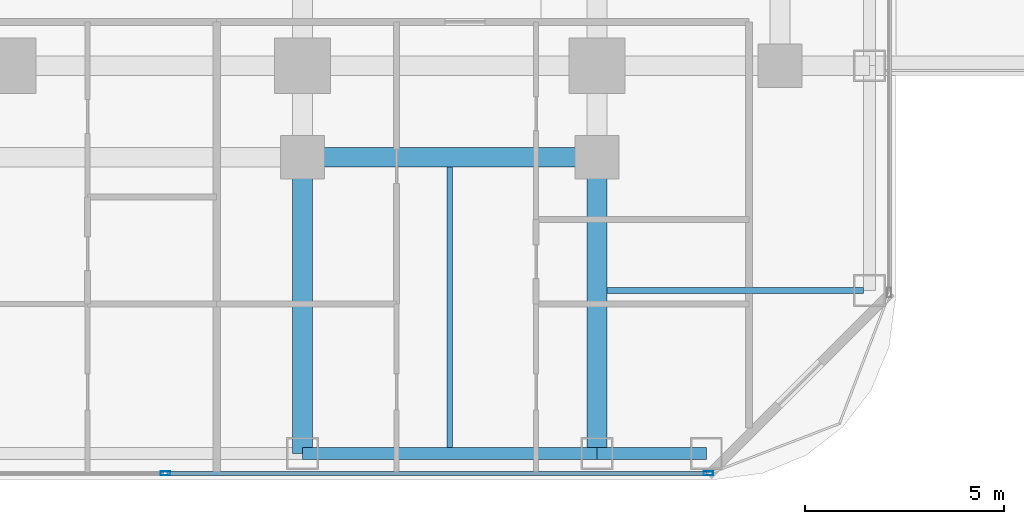
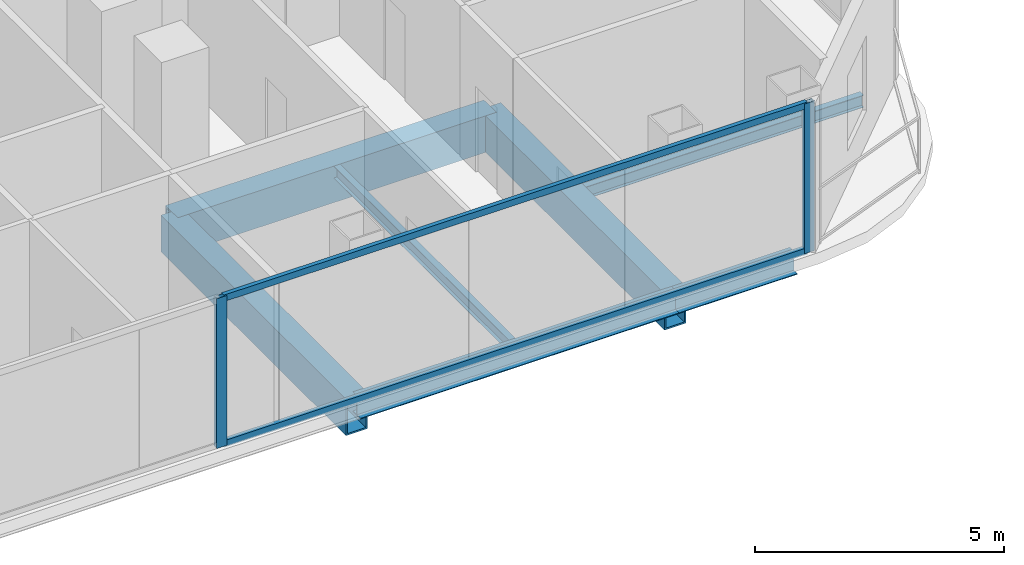
# One storey, part 8 of 29: 7 beams, 4 members, 1 element without a shape of its own.
"""IFC4 building model written with IfcOpenShell, lengths in metres."""

from ifc_helpers import new_model, si_unit, direction, frame, origin, origin_2d, place, context, subcontext, project, spatial, hollow_rectangle, i_section, extrude, material, layer, layer_set, material_profile, profile_set, type_object, element, aggregate, save


model = new_model("IFC4")

# Units and contexts
model_context = context("Model", 3, precision=1e-05, world=origin(), true_north=direction((0.0, 1.0)))
body_context = subcontext(model_context, "Body", "Model", "MODEL_VIEW")
ifc_project = project(units=[si_unit("LENGTHUNIT", "METRE"), si_unit("AREAUNIT", "SQUARE_METRE"), si_unit("VOLUMEUNIT", "CUBIC_METRE"), si_unit("PLANEANGLEUNIT", "RADIAN"), si_unit("MASSUNIT", "GRAM", prefix="KILO")], contexts=[model_context])

# Site, building, storey
site_placement = place(None, origin())
site = spatial("IfcSite", under=ifc_project, at=site_placement, CompositionType="ELEMENT")
building_placement = place(site_placement, origin())
building = spatial("IfcBuilding", under=site, at=building_placement, Name="Khorvyn Point Tower", CompositionType="ELEMENT")
storey_placement = place(building_placement, frame((0.0, 0.0, 54.0)))
storey = spatial("IfcBuildingStorey", under=building, at=storey_placement, Name="L14", CompositionType="ELEMENT", Elevation=54.0)

# Curtain wall, members
ifc_material_1 = material(Name="Anodised aluminium 6063-T6 and laminated Low-E glass", Category="aluminium")
ifc_layer = layer(ifc_material_1, 0.18994140625)
ifc_layer_set = layer_set([ifc_layer], Name="Stick-Built Finned Residential Curtain Wall CW-SYS-02")
curtain_wall_type = type_object("IfcCurtainWallType", Name="Stick-Built Finned Residential Curtain Wall CW-SYS-02", PredefinedType="NOTDEFINED", material=ifc_layer_set)
curtain_wall_placement = place(storey_placement, origin())
curtain_wall = element("IfcCurtainWall", 1, at=curtain_wall_placement, inside=storey, type_object=curtain_wall_type, Name="Curtain Wall", PredefinedType="NOTDEFINED")
ifc_material_2 = material(Name="Anodised aluminium 6063-T6", Category="aluminium")
ifc_material_profile_1 = material_profile(ifc_material_2, hollow_rectangle(XDim=0.10009765625, YDim=0.239990234375, WallThickness=0.0048828125, at=origin_2d()))
ifc_profile_set_1 = profile_set([ifc_material_profile_1], Name="Anodised aluminium 6063-T6 ALU-MUL-100x240")
member_type_1 = type_object("IfcMemberType", Name="Anodised Aluminium 6063-T6 Mullion ALU-MUL-100x240", PredefinedType="MULLION", material=ifc_profile_set_1)
member_1_placement = place(storey_placement, frame((17.60009765625, -25.050048828125, 0.0), z_axis=(0.0, 0.0, 1.0), x_axis=(0.0, -1.0, 0.0)))
member_1 = element("IfcMember", 2, at=member_1_placement, type_object=member_type_1, Name="Transom", PredefinedType="MULLION", context=body_context, shape_type="SweptSolid", body=[
    extrude(hollow_rectangle(XDim=0.10009765625, YDim=0.239990234375, WallThickness=0.0048828125, at=origin_2d()), origin(), (0.0, 0.0, 1.0), 3.679931640625),
])
member_2_placement = place(storey_placement, frame((3.949951171875, -25.050048828125, 0.0), z_axis=(0.0, 0.0, 1.0), x_axis=(0.0, -1.0, 0.0)))
member_2 = element("IfcMember", 3, at=member_2_placement, type_object=member_type_1, Name="Transom", PredefinedType="MULLION", context=body_context, shape_type="SweptSolid", body=[
    extrude(hollow_rectangle(XDim=0.10009765625, YDim=0.239990234375, WallThickness=0.0048828125, at=origin_2d()), origin(), (0.0, 0.0, 1.0), 3.679931640625),
])
ifc_material_profile_2 = material_profile(ifc_material_2, hollow_rectangle(XDim=0.10009765625, YDim=0.159912109375, WallThickness=0.00439453125, at=origin_2d()))
ifc_profile_set_2 = profile_set([ifc_material_profile_2], Name="Anodised aluminium 6063-T6 ALU-TRN-100x160")
member_type_2 = type_object("IfcMemberType", Name="Anodised Aluminium 6063-T6 Transom ALU-TRN-100x160", PredefinedType="USERDEFINED", material=ifc_profile_set_2)
member_3_placement = place(storey_placement, frame((17.550048828125, -25.050048828125, 0.050048828125), z_axis=(-1.0, 0.0, 0.0), x_axis=(0.0, -1.0, 0.0)))
member_3 = element("IfcMember", 4, at=member_3_placement, type_object=member_type_2, Name="Transom", ObjectType="TRANSOM", PredefinedType="USERDEFINED", context=body_context, shape_type="SweptSolid", body=[
    extrude(hollow_rectangle(XDim=0.10009765625, YDim=0.159912109375, WallThickness=0.00439453125, at=origin_2d()), origin(), (0.0, 0.0, 1.0), 13.550048828125),
])
member_4_placement = place(storey_placement, frame((17.550048828125, -25.050048828125, 3.6298828125), z_axis=(-1.0, 0.0, 0.0), x_axis=(0.0, -1.0, 0.0)))
member_4 = element("IfcMember", 5, at=member_4_placement, type_object=member_type_2, Name="Transom", ObjectType="TRANSOM", PredefinedType="USERDEFINED", context=body_context, shape_type="SweptSolid", body=[
    extrude(hollow_rectangle(XDim=0.10009765625, YDim=0.159912109375, WallThickness=0.00439453125, at=origin_2d()), origin(), (0.0, 0.0, 1.0), 13.550048828125),
])
aggregate(curtain_wall, [member_1, member_2, member_3, member_4])

# Beams
ifc_material_3 = material(Name="Steel S355", Category="steel")
ifc_material_profile_3 = material_profile(ifc_material_3, i_section(OverallWidth=0.14990234375, OverallDepth=0.300048828125, WebThickness=0.006591796875, FlangeThickness=0.009033203125, at=origin_2d()))
ifc_profile_set_3 = profile_set([ifc_material_profile_3], Name="Steel S355 H300x150x6.5x9")
beam_type_1 = type_object("IfcBeamType", Name="Steel S355 Joist H300x150x6.5x9", PredefinedType="JOIST", material=ifc_profile_set_3)
beam_1_placement = place(storey_placement, frame((11.10009765625, -24.39990234375, -0.429931640625), z_axis=(0.0, 1.0, 0.0), x_axis=(-1.0, 0.0, 0.0)))
element("IfcBeam", 6, at=beam_1_placement, inside=storey, type_object=beam_type_1, Name="Beam", PredefinedType="JOIST", context=body_context, shape_type="SweptSolid", body=[
    extrude(i_section(OverallWidth=0.14990234375, OverallDepth=0.300048828125, WebThickness=0.006591796875, FlangeThickness=0.009033203125, at=origin_2d()), origin(), (0.0, 0.0, 1.0), 7.0498046875),
])
beam_2_placement = place(storey_placement, frame((15.050048828125, -20.449951171875, -0.429931640625), z_axis=(1.0, 0.0, 0.0), x_axis=(0.0, 1.0, 0.0)))
element("IfcBeam", 7, at=beam_2_placement, inside=storey, type_object=beam_type_1, Name="Beam", PredefinedType="JOIST", context=body_context, shape_type="SweptSolid", body=[
    extrude(i_section(OverallWidth=0.14990234375, OverallDepth=0.300048828125, WebThickness=0.006591796875, FlangeThickness=0.009033203125, at=origin_2d()), origin(), (0.0, 0.0, 1.0), 6.449951171875),
])
ifc_material_profile_4 = material_profile(ifc_material_3, i_section(OverallWidth=0.300048828125, OverallDepth=0.488037109375, WebThickness=0.010986328125, FlangeThickness=0.01806640625, at=origin_2d()))
ifc_profile_set_4 = profile_set([ifc_material_profile_4], Name="Steel S355 H488x300x11x18")
beam_type_2 = type_object("IfcBeamType", Name="Steel S355 Spandrel H488x300x11x18", PredefinedType="SPANDREL", material=ifc_profile_set_4)
beam_3_placement = place(storey_placement, frame((7.39990234375, -24.550048828125, -0.52392578125), z_axis=(1.0, 0.0, 0.0), x_axis=(0.0, 1.0, 0.0)))
element("IfcBeam", 8, at=beam_3_placement, inside=storey, type_object=beam_type_2, Name="Beam", PredefinedType="SPANDREL", context=body_context, shape_type="SweptSolid", body=[
    extrude(i_section(OverallWidth=0.300048828125, OverallDepth=0.488037109375, WebThickness=0.010986328125, FlangeThickness=0.01806640625, at=origin_2d()), origin(), (0.0, 0.0, 1.0), 7.400146484375),
])
beam_4_placement = place(storey_placement, frame((14.800048828125, -24.550048828125, -0.52392578125), z_axis=(1.0, 0.0, 0.0), x_axis=(0.0, 1.0, 0.0)))
element("IfcBeam", 9, at=beam_4_placement, inside=storey, type_object=beam_type_2, Name="Beam", PredefinedType="SPANDREL", context=body_context, shape_type="SweptSolid", body=[
    extrude(i_section(OverallWidth=0.300048828125, OverallDepth=0.488037109375, WebThickness=0.010986328125, FlangeThickness=0.01806640625, at=origin_2d()), origin(), (0.0, 0.0, 1.0), 2.75),
])
ifc_material_4 = material(Name="Steel S450", Category="steel")
ifc_material_profile_5 = material_profile(ifc_material_4, hollow_rectangle(XDim=0.5, YDim=0.89990234375, WallThickness=0.0400390625, at=origin_2d()))
ifc_profile_set_5 = profile_set([ifc_material_profile_5], Name="Steel S450 BOX900x500x40")
beam_type_3 = type_object("IfcBeamType", Name="Steel S450 Beam BOX900x500x40", PredefinedType="BEAM", material=ifc_profile_set_5)
beam_5_placement = place(storey_placement, frame((7.39990234375, -17.10009765625, -0.72998046875), z_axis=(1.0, 0.0, 0.0), x_axis=(0.0, 1.0, 0.0)))
element("IfcBeam", 10, at=beam_5_placement, inside=storey, type_object=beam_type_3, Name="Beam", PredefinedType="BEAM", context=body_context, shape_type="SweptSolid", body=[
    extrude(hollow_rectangle(XDim=0.5, YDim=0.89990234375, WallThickness=0.0400390625, at=origin_2d()), origin(), (0.0, 0.0, 1.0), 7.400146484375),
])
for number, where, z_axis, x_axis, name in (
    (11, (14.800048828125, -24.550048828125, -0.72998046875), (0.0, 1.0, 0.0), (-1.0, 0.0, 0.0), "L14 Radial Transfer Girder"),
    (12, (7.39990234375, -24.550048828125, -0.72998046875), (0.0, 1.0, 0.0), (-1.0, 0.0, 0.0), "Beam"),
):
    element("IfcBeam", number, at=place(storey_placement, frame(where, z_axis=z_axis, x_axis=x_axis)), inside=storey, type_object=beam_type_3, Name=name, PredefinedType="BEAM", context=body_context, shape_type="SweptSolid", body=[
        extrude(hollow_rectangle(XDim=0.5, YDim=0.89990234375, WallThickness=0.0400390625, at=origin_2d()), origin(), (0.0, 0.0, 1.0), 7.449951171875),
    ])

save(model, "model.ifc")
